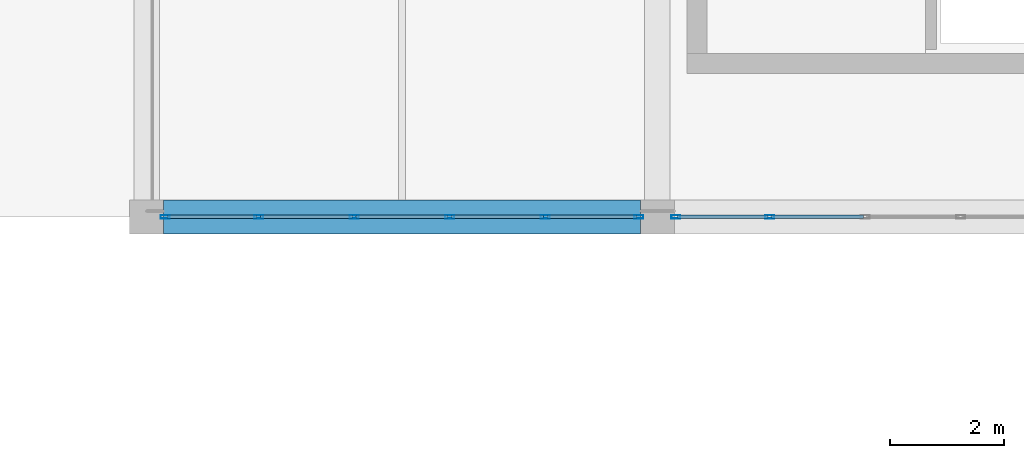
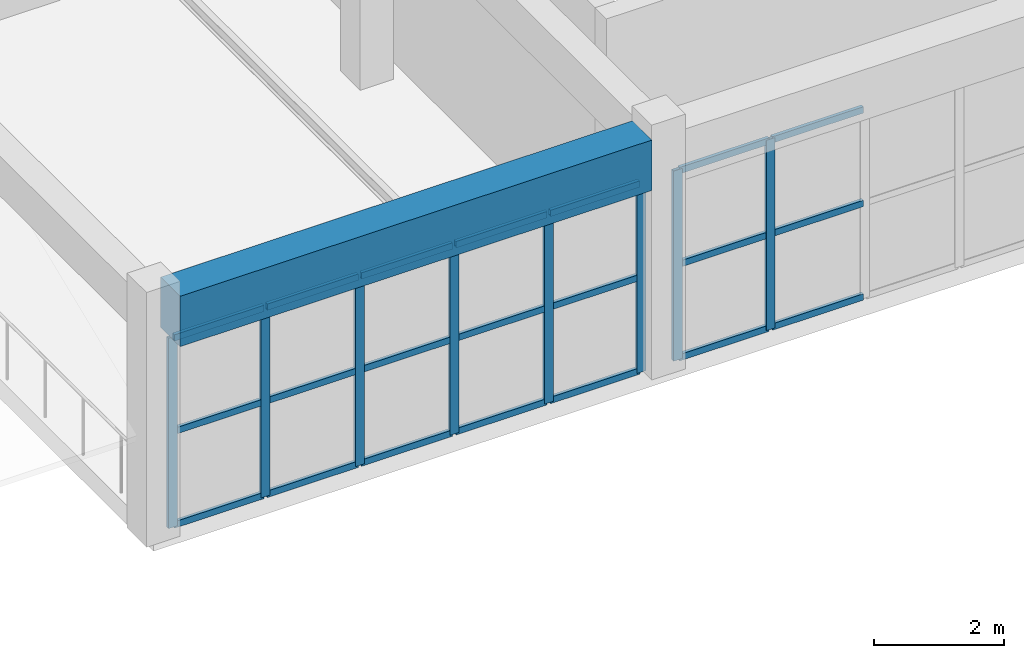
# One storey, part 37 of 89: 29 members, 1 beam, 2 elements without a shape of their own.
"""IFC4 building model written with IfcOpenShell, lengths in metres."""

from ifc_helpers import new_model, si_unit, direction, frame, origin, origin_2d, place, context, subcontext, project, spatial, rectangle, hollow_rectangle, extrude, material, layer, layer_set, material_profile, profile_set, type_object, element, aggregate, save


model = new_model("IFC4")

# Units and contexts
model_context = context("Model", 3, precision=1e-05, world=origin(), true_north=direction((0.0, 1.0)))
body_context = subcontext(model_context, "Body", "Model", "MODEL_VIEW")
ifc_project = project(units=[si_unit("LENGTHUNIT", "METRE"), si_unit("AREAUNIT", "SQUARE_METRE"), si_unit("VOLUMEUNIT", "CUBIC_METRE"), si_unit("PLANEANGLEUNIT", "RADIAN"), si_unit("MASSUNIT", "GRAM", prefix="KILO")], contexts=[model_context])

# Site, building, storey
site_placement = place(None, origin())
site = spatial("IfcSite", under=ifc_project, at=site_placement, CompositionType="ELEMENT")
building_placement = place(site_placement, origin())
building = spatial("IfcBuilding", under=site, at=building_placement, Name="Dornveld Trade and Exhibition Forum", CompositionType="ELEMENT")
storey_placement = place(building_placement, frame((0.0, 0.0, 12.0)))
storey = spatial("IfcBuildingStorey", under=building, at=storey_placement, Name="L02", CompositionType="ELEMENT", Elevation=12.0)

# Beam
ifc_material_1 = material(Name="Precast concrete C50/60", Category="concrete")
ifc_material_profile_1 = material_profile(ifc_material_1, rectangle(XDim=0.60009765625, YDim=0.949951171875, at=origin_2d()), Name="PC-GIR 600x950")
ifc_profile_set_1 = profile_set([ifc_material_profile_1], Name="Precast concrete C50/60")
beam_type = type_object("IfcBeamType", Name="BM-PC-600x950", PredefinedType="T_BEAM", material=ifc_profile_set_1)
beam_placement = place(storey_placement, frame((171.2958984375, 108.0, 4.044921875), z_axis=(1.0, 0.0, 0.0), x_axis=(0.0, 1.0, 0.0)))
element("IfcBeam", 1, at=beam_placement, inside=storey, type_object=beam_type, Name="L02 X-girder 1585", PredefinedType="T_BEAM", context=body_context, shape_type="SweptSolid", body=[
    extrude(rectangle(XDim=0.60009765625, YDim=0.949951171875, at=origin_2d()), origin(), (0.0, 0.0, 1.0), 8.408203125),
])

# Curtain wall, members
ifc_material_2 = material(Name="Dark-bronze anodised aluminium and low-E glass", Category="aluminium")
ifc_layer_1 = layer(ifc_material_2, 0.156982421875)
ifc_layer_set_1 = layer_set([ifc_layer_1], Name="Dark-bronze anodised aluminium and low-E glass")
curtain_wall_type_1 = type_object("IfcCurtainWallType", Name="CW-SYS-05", PredefinedType="USERDEFINED", material=ifc_layer_set_1)
curtain_wall_1_placement = place(storey_placement, origin())
curtain_wall_1 = element("IfcCurtainWall", 2, at=curtain_wall_1_placement, inside=storey, type_object=curtain_wall_type_1, Name="L02 unitised curtain wall 113", ObjectType="UNITISED_CURTAIN_WALL", PredefinedType="USERDEFINED")
ifc_material_3 = material(Name="Dark-bronze anodised aluminium", Category="aluminium")
ifc_material_profile_2 = material_profile(ifc_material_3, hollow_rectangle(XDim=0.06005859375, YDim=0.159912109375, WallThickness=0.00390625, at=origin_2d()), Name="RHS 160x60x4")
ifc_profile_set_2 = profile_set([ifc_material_profile_2], Name="Dark-bronze anodised aluminium")
member_type_1 = type_object("IfcMemberType", Name="CW-MUL-160", PredefinedType="MULLION", material=ifc_profile_set_2)
member_1_placement = place(storey_placement, frame((171.325927734375, 108.0, -0.00390625), z_axis=(0.0, 0.0, 1.0), x_axis=(0.0, 1.0, 0.0)))
member_1 = element("IfcMember", 3, at=member_1_placement, type_object=member_type_1, Name="CW-05 mullion 1", PredefinedType="MULLION", context=body_context, shape_type="SweptSolid", body=[
    extrude(hollow_rectangle(XDim=0.06005859375, YDim=0.159912109375, WallThickness=0.00390625, at=origin_2d()), origin(), (0.0, 0.0, 1.0), 3.583984375),
])
member_2_placement = place(storey_placement, frame((172.9775390625, 108.0, -0.00390625), z_axis=(0.0, 0.0, 1.0), x_axis=(0.0, 1.0, 0.0)))
member_2 = element("IfcMember", 4, at=member_2_placement, type_object=member_type_1, Name="CW-05 mullion 2", PredefinedType="MULLION", context=body_context, shape_type="SweptSolid", body=[
    extrude(hollow_rectangle(XDim=0.06005859375, YDim=0.159912109375, WallThickness=0.00390625, at=origin_2d()), origin(), (0.0, 0.0, 1.0), 3.583984375),
])
member_3_placement = place(storey_placement, frame((174.6591796875, 108.0, -0.00390625), z_axis=(0.0, 0.0, 1.0), x_axis=(0.0, 1.0, 0.0)))
member_3 = element("IfcMember", 5, at=member_3_placement, type_object=member_type_1, Name="CW-05 mullion 3", PredefinedType="MULLION", context=body_context, shape_type="SweptSolid", body=[
    extrude(hollow_rectangle(XDim=0.06005859375, YDim=0.159912109375, WallThickness=0.00390625, at=origin_2d()), origin(), (0.0, 0.0, 1.0), 3.583984375),
])
member_4_placement = place(storey_placement, frame((176.3408203125, 108.0, -0.00390625), z_axis=(0.0, 0.0, 1.0), x_axis=(0.0, 1.0, 0.0)))
member_4 = element("IfcMember", 6, at=member_4_placement, type_object=member_type_1, Name="CW-05 mullion 4", PredefinedType="MULLION", context=body_context, shape_type="SweptSolid", body=[
    extrude(hollow_rectangle(XDim=0.06005859375, YDim=0.159912109375, WallThickness=0.00390625, at=origin_2d()), origin(), (0.0, 0.0, 1.0), 3.583984375),
])
member_5_placement = place(storey_placement, frame((178.0224609375, 108.0, -0.00390625), z_axis=(0.0, 0.0, 1.0), x_axis=(0.0, 1.0, 0.0)))
member_5 = element("IfcMember", 7, at=member_5_placement, type_object=member_type_1, Name="CW-05 mullion 5", PredefinedType="MULLION", context=body_context, shape_type="SweptSolid", body=[
    extrude(hollow_rectangle(XDim=0.06005859375, YDim=0.159912109375, WallThickness=0.00390625, at=origin_2d()), origin(), (0.0, 0.0, 1.0), 3.583984375),
])
member_6_placement = place(storey_placement, frame((179.674072265625, 108.0, -0.00390625), z_axis=(0.0, 0.0, 1.0), x_axis=(0.0, 1.0, 0.0)))
member_6 = element("IfcMember", 8, at=member_6_placement, type_object=member_type_1, Name="CW-05 mullion 6", PredefinedType="MULLION", context=body_context, shape_type="SweptSolid", body=[
    extrude(hollow_rectangle(XDim=0.06005859375, YDim=0.159912109375, WallThickness=0.00390625, at=origin_2d()), origin(), (0.0, 0.0, 1.0), 3.583984375),
])

ifc_material_4 = material(Name="Dark-bronze anodised aluminium and low-E glass", Category="aluminium")
ifc_layer_2 = layer(ifc_material_4, 0.159912109375)
ifc_layer_set_2 = layer_set([ifc_layer_2], Name="Dark-bronze anodised aluminium and low-E glass")
curtain_wall_type_2 = type_object("IfcCurtainWallType", Name="CW-SYS-06", PredefinedType="USERDEFINED", material=ifc_layer_set_2)
curtain_wall_2_placement = place(storey_placement, origin())
curtain_wall_2 = element("IfcCurtainWall", 9, at=curtain_wall_2_placement, inside=storey, type_object=curtain_wall_type_2, Name="L02 unitised curtain wall 114", ObjectType="UNITISED_CURTAIN_WALL", PredefinedType="USERDEFINED")
member_7_placement = place(storey_placement, frame((180.325927734375, 108.0, -0.00390625), z_axis=(0.0, 0.0, 1.0), x_axis=(0.0, 1.0, 0.0)))
member_7 = element("IfcMember", 10, at=member_7_placement, type_object=member_type_1, Name="CW-06 mullion 1", PredefinedType="MULLION", context=body_context, shape_type="SweptSolid", body=[
    extrude(hollow_rectangle(XDim=0.06005859375, YDim=0.159912109375, WallThickness=0.00390625, at=origin_2d()), origin(), (0.0, 0.0, 1.0), 3.583984375),
])
member_8_placement = place(storey_placement, frame((181.9775390625, 108.0, -0.00390625), z_axis=(0.0, 0.0, 1.0), x_axis=(0.0, 1.0, 0.0)))
member_8 = element("IfcMember", 11, at=member_8_placement, type_object=member_type_1, Name="CW-06 mullion 2", PredefinedType="MULLION", context=body_context, shape_type="SweptSolid", body=[
    extrude(hollow_rectangle(XDim=0.06005859375, YDim=0.159912109375, WallThickness=0.00390625, at=origin_2d()), origin(), (0.0, 0.0, 1.0), 3.583984375),
])

# Member
ifc_material_5 = material(Name="Dark-bronze anodised aluminium", Category="aluminium")
ifc_material_profile_3 = material_profile(ifc_material_5, hollow_rectangle(XDim=0.06005859375, YDim=0.1201171875, WallThickness=0.00390625, at=origin_2d()), Name="RHS 120x60x4")
ifc_profile_set_3 = profile_set([ifc_material_profile_3], Name="Dark-bronze anodised aluminium")
member_type_2 = type_object("IfcMemberType", Name="CW-TRN-120", PredefinedType="USERDEFINED", material=ifc_profile_set_3)
member_9_placement = place(storey_placement, frame((171.35595703125, 108.0, 0.02587890625), z_axis=(1.0, 0.0, 0.0), x_axis=(0.0, 1.0, 0.0)))
member_9 = element("IfcMember", 12, at=member_9_placement, type_object=member_type_2, Name="CW-05 transom 1.1", ObjectType="TRANSOM", PredefinedType="USERDEFINED", context=body_context, shape_type="SweptSolid", body=[
    extrude(hollow_rectangle(XDim=0.06005859375, YDim=0.1201171875, WallThickness=0.00390625, at=origin_2d()), origin(), (0.0, 0.0, 1.0), 1.591552734375),
])

member_10_placement = place(storey_placement, frame((171.35595703125, 108.0, 1.7880859375), z_axis=(1.0, 0.0, 0.0), x_axis=(0.0, 1.0, 0.0)))
member_10 = element("IfcMember", 13, at=member_10_placement, type_object=member_type_2, Name="CW-05 transom 1.2", ObjectType="TRANSOM", PredefinedType="USERDEFINED", context=body_context, shape_type="SweptSolid", body=[
    extrude(hollow_rectangle(XDim=0.06005859375, YDim=0.1201171875, WallThickness=0.00390625, at=origin_2d()), origin(), (0.0, 0.0, 1.0), 1.591552734375),
])

member_11_placement = place(storey_placement, frame((171.35595703125, 108.0, 3.550048828125), z_axis=(1.0, 0.0, 0.0), x_axis=(0.0, 1.0, 0.0)))
member_11 = element("IfcMember", 14, at=member_11_placement, type_object=member_type_2, Name="CW-05 transom 1.3", ObjectType="TRANSOM", PredefinedType="USERDEFINED", context=body_context, shape_type="SweptSolid", body=[
    extrude(hollow_rectangle(XDim=0.06005859375, YDim=0.1201171875, WallThickness=0.00390625, at=origin_2d()), origin(), (0.0, 0.0, 1.0), 1.591552734375),
])

member_12_placement = place(storey_placement, frame((173.007568359375, 108.0, 0.02587890625), z_axis=(1.0, 0.0, 0.0), x_axis=(0.0, 1.0, 0.0)))
member_12 = element("IfcMember", 15, at=member_12_placement, type_object=member_type_2, Name="CW-05 transom 2.1", ObjectType="TRANSOM", PredefinedType="USERDEFINED", context=body_context, shape_type="SweptSolid", body=[
    extrude(hollow_rectangle(XDim=0.06005859375, YDim=0.1201171875, WallThickness=0.00390625, at=origin_2d()), origin(), (0.0, 0.0, 1.0), 1.62158203125),
])

member_13_placement = place(storey_placement, frame((173.007568359375, 108.0, 1.7880859375), z_axis=(1.0, 0.0, 0.0), x_axis=(0.0, 1.0, 0.0)))
member_13 = element("IfcMember", 16, at=member_13_placement, type_object=member_type_2, Name="CW-05 transom 2.2", ObjectType="TRANSOM", PredefinedType="USERDEFINED", context=body_context, shape_type="SweptSolid", body=[
    extrude(hollow_rectangle(XDim=0.06005859375, YDim=0.1201171875, WallThickness=0.00390625, at=origin_2d()), origin(), (0.0, 0.0, 1.0), 1.62158203125),
])

member_14_placement = place(storey_placement, frame((173.007568359375, 108.0, 3.550048828125), z_axis=(1.0, 0.0, 0.0), x_axis=(0.0, 1.0, 0.0)))
member_14 = element("IfcMember", 17, at=member_14_placement, type_object=member_type_2, Name="CW-05 transom 2.3", ObjectType="TRANSOM", PredefinedType="USERDEFINED", context=body_context, shape_type="SweptSolid", body=[
    extrude(hollow_rectangle(XDim=0.06005859375, YDim=0.1201171875, WallThickness=0.00390625, at=origin_2d()), origin(), (0.0, 0.0, 1.0), 1.62158203125),
])

member_15_placement = place(storey_placement, frame((174.689208984375, 108.0, 0.02587890625), z_axis=(1.0, 0.0, 0.0), x_axis=(0.0, 1.0, 0.0)))
member_15 = element("IfcMember", 18, at=member_15_placement, type_object=member_type_2, Name="CW-05 transom 3.1", ObjectType="TRANSOM", PredefinedType="USERDEFINED", context=body_context, shape_type="SweptSolid", body=[
    extrude(hollow_rectangle(XDim=0.06005859375, YDim=0.1201171875, WallThickness=0.00390625, at=origin_2d()), origin(), (0.0, 0.0, 1.0), 1.62158203125),
])

member_16_placement = place(storey_placement, frame((174.689208984375, 108.0, 1.7880859375), z_axis=(1.0, 0.0, 0.0), x_axis=(0.0, 1.0, 0.0)))
member_16 = element("IfcMember", 19, at=member_16_placement, type_object=member_type_2, Name="CW-05 transom 3.2", ObjectType="TRANSOM", PredefinedType="USERDEFINED", context=body_context, shape_type="SweptSolid", body=[
    extrude(hollow_rectangle(XDim=0.06005859375, YDim=0.1201171875, WallThickness=0.00390625, at=origin_2d()), origin(), (0.0, 0.0, 1.0), 1.62158203125),
])

member_17_placement = place(storey_placement, frame((174.689208984375, 108.0, 3.550048828125), z_axis=(1.0, 0.0, 0.0), x_axis=(0.0, 1.0, 0.0)))
member_17 = element("IfcMember", 20, at=member_17_placement, type_object=member_type_2, Name="CW-05 transom 3.3", ObjectType="TRANSOM", PredefinedType="USERDEFINED", context=body_context, shape_type="SweptSolid", body=[
    extrude(hollow_rectangle(XDim=0.06005859375, YDim=0.1201171875, WallThickness=0.00390625, at=origin_2d()), origin(), (0.0, 0.0, 1.0), 1.62158203125),
])

member_18_placement = place(storey_placement, frame((176.370849609375, 108.0, 0.02587890625), z_axis=(1.0, 0.0, 0.0), x_axis=(0.0, 1.0, 0.0)))
member_18 = element("IfcMember", 21, at=member_18_placement, type_object=member_type_2, Name="CW-05 transom 4.1", ObjectType="TRANSOM", PredefinedType="USERDEFINED", context=body_context, shape_type="SweptSolid", body=[
    extrude(hollow_rectangle(XDim=0.06005859375, YDim=0.1201171875, WallThickness=0.00390625, at=origin_2d()), origin(), (0.0, 0.0, 1.0), 1.62158203125),
])

member_19_placement = place(storey_placement, frame((176.370849609375, 108.0, 1.7880859375), z_axis=(1.0, 0.0, 0.0), x_axis=(0.0, 1.0, 0.0)))
member_19 = element("IfcMember", 22, at=member_19_placement, type_object=member_type_2, Name="CW-05 transom 4.2", ObjectType="TRANSOM", PredefinedType="USERDEFINED", context=body_context, shape_type="SweptSolid", body=[
    extrude(hollow_rectangle(XDim=0.06005859375, YDim=0.1201171875, WallThickness=0.00390625, at=origin_2d()), origin(), (0.0, 0.0, 1.0), 1.62158203125),
])

member_20_placement = place(storey_placement, frame((176.370849609375, 108.0, 3.550048828125), z_axis=(1.0, 0.0, 0.0), x_axis=(0.0, 1.0, 0.0)))
member_20 = element("IfcMember", 23, at=member_20_placement, type_object=member_type_2, Name="CW-05 transom 4.3", ObjectType="TRANSOM", PredefinedType="USERDEFINED", context=body_context, shape_type="SweptSolid", body=[
    extrude(hollow_rectangle(XDim=0.06005859375, YDim=0.1201171875, WallThickness=0.00390625, at=origin_2d()), origin(), (0.0, 0.0, 1.0), 1.62158203125),
])

member_21_placement = place(storey_placement, frame((178.052490234375, 108.0, 0.02587890625), z_axis=(1.0, 0.0, 0.0), x_axis=(0.0, 1.0, 0.0)))
member_21 = element("IfcMember", 24, at=member_21_placement, type_object=member_type_2, Name="CW-05 transom 5.1", ObjectType="TRANSOM", PredefinedType="USERDEFINED", context=body_context, shape_type="SweptSolid", body=[
    extrude(hollow_rectangle(XDim=0.06005859375, YDim=0.1201171875, WallThickness=0.00390625, at=origin_2d()), origin(), (0.0, 0.0, 1.0), 1.591552734375),
])

member_22_placement = place(storey_placement, frame((178.052490234375, 108.0, 1.7880859375), z_axis=(1.0, 0.0, 0.0), x_axis=(0.0, 1.0, 0.0)))
member_22 = element("IfcMember", 25, at=member_22_placement, type_object=member_type_2, Name="CW-05 transom 5.2", ObjectType="TRANSOM", PredefinedType="USERDEFINED", context=body_context, shape_type="SweptSolid", body=[
    extrude(hollow_rectangle(XDim=0.06005859375, YDim=0.1201171875, WallThickness=0.00390625, at=origin_2d()), origin(), (0.0, 0.0, 1.0), 1.591552734375),
])

member_23_placement = place(storey_placement, frame((178.052490234375, 108.0, 3.550048828125), z_axis=(1.0, 0.0, 0.0), x_axis=(0.0, 1.0, 0.0)))
member_23 = element("IfcMember", 26, at=member_23_placement, type_object=member_type_2, Name="CW-05 transom 5.3", ObjectType="TRANSOM", PredefinedType="USERDEFINED", context=body_context, shape_type="SweptSolid", body=[
    extrude(hollow_rectangle(XDim=0.06005859375, YDim=0.1201171875, WallThickness=0.00390625, at=origin_2d()), origin(), (0.0, 0.0, 1.0), 1.591552734375),
])

aggregate(curtain_wall_1, [member_1, member_2, member_3, member_4, member_5, member_6, member_9, member_10, member_11, member_12, member_13, member_14, member_15, member_16, member_17, member_18, member_19, member_20, member_21, member_22, member_23])

member_24_placement = place(storey_placement, frame((180.35595703125, 108.0, 0.02587890625), z_axis=(1.0, 0.0, 0.0), x_axis=(0.0, 1.0, 0.0)))
member_24 = element("IfcMember", 27, at=member_24_placement, type_object=member_type_2, Name="CW-06 transom 1.1", ObjectType="TRANSOM", PredefinedType="USERDEFINED", context=body_context, shape_type="SweptSolid", body=[
    extrude(hollow_rectangle(XDim=0.06005859375, YDim=0.1201171875, WallThickness=0.00390625, at=origin_2d()), origin(), (0.0, 0.0, 1.0), 1.591552734375),
])

member_25_placement = place(storey_placement, frame((180.35595703125, 108.0, 1.7880859375), z_axis=(1.0, 0.0, 0.0), x_axis=(0.0, 1.0, 0.0)))
member_25 = element("IfcMember", 28, at=member_25_placement, type_object=member_type_2, Name="CW-06 transom 1.2", ObjectType="TRANSOM", PredefinedType="USERDEFINED", context=body_context, shape_type="SweptSolid", body=[
    extrude(hollow_rectangle(XDim=0.06005859375, YDim=0.1201171875, WallThickness=0.00390625, at=origin_2d()), origin(), (0.0, 0.0, 1.0), 1.591552734375),
])

member_26_placement = place(storey_placement, frame((180.35595703125, 108.0, 3.550048828125), z_axis=(1.0, 0.0, 0.0), x_axis=(0.0, 1.0, 0.0)))
member_26 = element("IfcMember", 29, at=member_26_placement, type_object=member_type_2, Name="CW-06 transom 1.3", ObjectType="TRANSOM", PredefinedType="USERDEFINED", context=body_context, shape_type="SweptSolid", body=[
    extrude(hollow_rectangle(XDim=0.06005859375, YDim=0.1201171875, WallThickness=0.00390625, at=origin_2d()), origin(), (0.0, 0.0, 1.0), 1.591552734375),
])

member_27_placement = place(storey_placement, frame((182.007568359375, 108.0, 0.02587890625), z_axis=(1.0, 0.0, 0.0), x_axis=(0.0, 1.0, 0.0)))
member_27 = element("IfcMember", 30, at=member_27_placement, type_object=member_type_2, Name="CW-06 transom 2.1", ObjectType="TRANSOM", PredefinedType="USERDEFINED", context=body_context, shape_type="SweptSolid", body=[
    extrude(hollow_rectangle(XDim=0.06005859375, YDim=0.1201171875, WallThickness=0.00390625, at=origin_2d()), origin(), (0.0, 0.0, 1.0), 1.62158203125),
])

member_28_placement = place(storey_placement, frame((182.007568359375, 108.0, 1.7880859375), z_axis=(1.0, 0.0, 0.0), x_axis=(0.0, 1.0, 0.0)))
member_28 = element("IfcMember", 31, at=member_28_placement, type_object=member_type_2, Name="CW-06 transom 2.2", ObjectType="TRANSOM", PredefinedType="USERDEFINED", context=body_context, shape_type="SweptSolid", body=[
    extrude(hollow_rectangle(XDim=0.06005859375, YDim=0.1201171875, WallThickness=0.00390625, at=origin_2d()), origin(), (0.0, 0.0, 1.0), 1.62158203125),
])

member_29_placement = place(storey_placement, frame((182.007568359375, 108.0, 3.550048828125), z_axis=(1.0, 0.0, 0.0), x_axis=(0.0, 1.0, 0.0)))
member_29 = element("IfcMember", 32, at=member_29_placement, type_object=member_type_2, Name="CW-06 transom 2.3", ObjectType="TRANSOM", PredefinedType="USERDEFINED", context=body_context, shape_type="SweptSolid", body=[
    extrude(hollow_rectangle(XDim=0.06005859375, YDim=0.1201171875, WallThickness=0.00390625, at=origin_2d()), origin(), (0.0, 0.0, 1.0), 1.62158203125),
])

aggregate(curtain_wall_2, [member_7, member_8, member_24, member_25, member_26, member_27, member_28, member_29])

save(model, "model.ifc")
